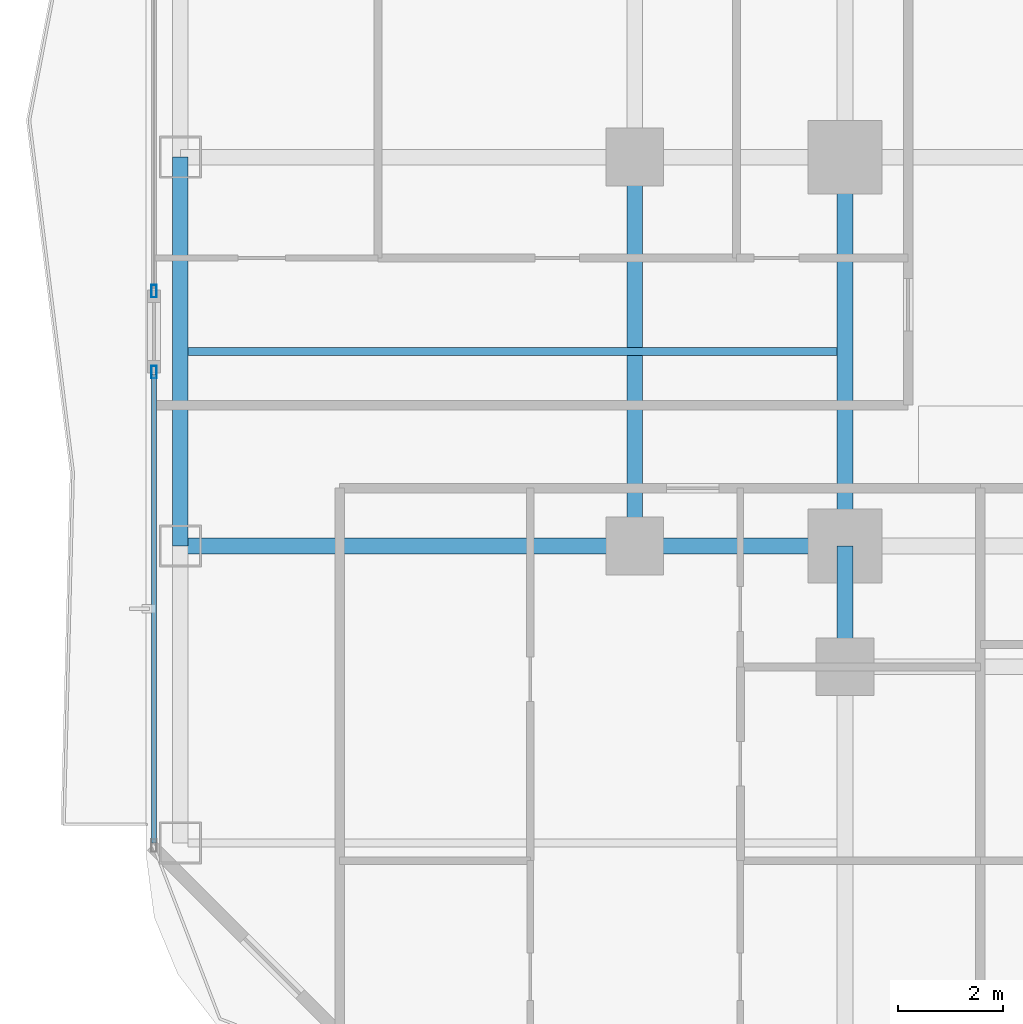
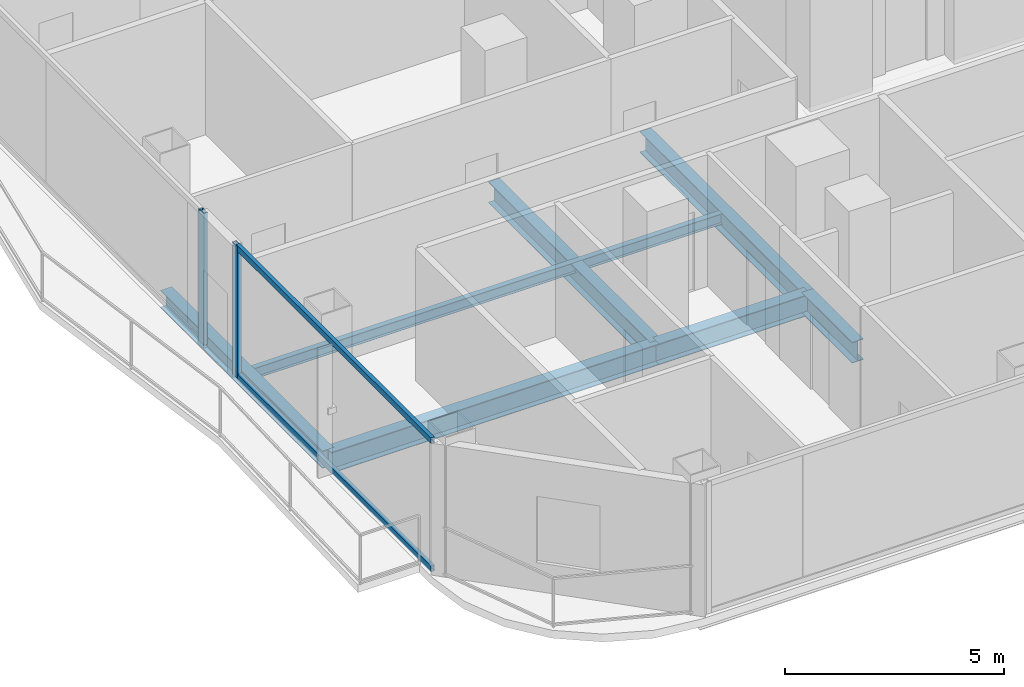
# One storey, part 3 of 30: 7 beams, 4 members, 2 elements without a shape of their own.
"""IFC4 building model written with IfcOpenShell, lengths in metres."""

from ifc_helpers import new_model, si_unit, direction, frame, origin, origin_2d, place, context, subcontext, project, spatial, hollow_rectangle, i_section, extrude, material, layer, layer_set, material_profile, profile_set, type_object, element, aggregate, save


model = new_model("IFC4")

# Units and contexts
model_context = context("Model", 3, precision=1e-05, world=origin(), true_north=direction((0.0, 1.0)))
body_context = subcontext(model_context, "Body", "Model", "MODEL_VIEW")
ifc_project = project(units=[si_unit("LENGTHUNIT", "METRE"), si_unit("AREAUNIT", "SQUARE_METRE"), si_unit("VOLUMEUNIT", "CUBIC_METRE"), si_unit("PLANEANGLEUNIT", "RADIAN"), si_unit("MASSUNIT", "GRAM", prefix="KILO")], contexts=[model_context])

# Site, building, storey
site_placement = place(None, origin())
site = spatial("IfcSite", under=ifc_project, at=site_placement, CompositionType="ELEMENT")
building_placement = place(site_placement, origin())
building = spatial("IfcBuilding", under=site, at=building_placement, Name="Khorvyn Point Tower", CompositionType="ELEMENT")
storey_placement = place(building_placement, frame((0.0, 0.0, 57.89990234375)))
storey = spatial("IfcBuildingStorey", under=building, at=storey_placement, Name="L15", CompositionType="ELEMENT", Elevation=57.89990234375)

# Curtain wall, member
ifc_material_1 = material(Name="Anodised aluminium 6063-T6 and laminated Low-E glass", Category="aluminium")
ifc_layer = layer(ifc_material_1, 0.18994140625)
ifc_layer_set = layer_set([ifc_layer], Name="Stick-Built Finned Residential Curtain Wall CW-SYS-02")
curtain_wall_type = type_object("IfcCurtainWallType", Name="Stick-Built Finned Residential Curtain Wall CW-SYS-02", PredefinedType="NOTDEFINED", material=ifc_layer_set)
curtain_wall_1_placement = place(storey_placement, origin())
curtain_wall_1 = element("IfcCurtainWall", 1, at=curtain_wall_1_placement, inside=storey, type_object=curtain_wall_type, Name="Curtain Wall", PredefinedType="NOTDEFINED")
ifc_material_2 = material(Name="Anodised aluminium 6063-T6", Category="aluminium")
ifc_material_profile_1 = material_profile(ifc_material_2, hollow_rectangle(XDim=0.10009765625, YDim=0.239990234375, WallThickness=0.0048828125, at=origin_2d()))
ifc_profile_set_1 = profile_set([ifc_material_profile_1], Name="Anodised aluminium 6063-T6 ALU-MUL-100x240")
member_type_1 = type_object("IfcMemberType", Name="Anodised Aluminium 6063-T6 Mullion ALU-MUL-100x240", PredefinedType="MULLION", material=ifc_profile_set_1)
member_1_placement = place(storey_placement, frame((-27.949951171875, -11.489990234375, 0.0), z_axis=(0.0, 0.0, 1.0), x_axis=(-1.0, 0.0, 0.0)))
member_1 = element("IfcMember", 2, at=member_1_placement, type_object=member_type_1, Name="Transom", PredefinedType="MULLION", context=body_context, shape_type="SweptSolid", body=[
    extrude(hollow_rectangle(XDim=0.10009765625, YDim=0.239990234375, WallThickness=0.0048828125, at=origin_2d()), origin(), (0.0, 0.0, 1.0), 3.68017578125),
])

curtain_wall_2_placement = place(storey_placement, origin())
curtain_wall_2 = element("IfcCurtainWall", 3, at=curtain_wall_2_placement, inside=storey, type_object=curtain_wall_type, Name="Curtain Wall", PredefinedType="NOTDEFINED")
member_2_placement = place(storey_placement, frame((-27.949951171875, -9.949951171875, 0.0), z_axis=(0.0, 0.0, 1.0), x_axis=(-1.0, 0.0, 0.0)))
member_2 = element("IfcMember", 4, at=member_2_placement, type_object=member_type_1, Name="Transom", PredefinedType="MULLION", context=body_context, shape_type="SweptSolid", body=[
    extrude(hollow_rectangle(XDim=0.10009765625, YDim=0.239990234375, WallThickness=0.0048828125, at=origin_2d()), origin(), (0.0, 0.0, 1.0), 3.68017578125),
])
aggregate(curtain_wall_2, [member_2])

# Member
ifc_material_profile_2 = material_profile(ifc_material_2, hollow_rectangle(XDim=0.10009765625, YDim=0.159912109375, WallThickness=0.00439453125, at=origin_2d()))
ifc_profile_set_2 = profile_set([ifc_material_profile_2], Name="Anodised aluminium 6063-T6 ALU-TRN-100x160")
member_type_2 = type_object("IfcMemberType", Name="Anodised Aluminium 6063-T6 Transom ALU-TRN-100x160", PredefinedType="USERDEFINED", material=ifc_profile_set_2)
member_3_placement = place(storey_placement, frame((-27.949951171875, -20.449951171875, 0.050048828125), z_axis=(0.0, 1.0, 0.0), x_axis=(-1.0, 0.0, 0.0)))
member_3 = element("IfcMember", 5, at=member_3_placement, type_object=member_type_2, Name="Transom", ObjectType="TRANSOM", PredefinedType="USERDEFINED", context=body_context, shape_type="SweptSolid", body=[
    extrude(hollow_rectangle(XDim=0.10009765625, YDim=0.159912109375, WallThickness=0.00439453125, at=origin_2d()), origin(), (0.0, 0.0, 1.0), 8.909912109375),
])

member_4_placement = place(storey_placement, frame((-27.949951171875, -20.449951171875, 3.630126953125), z_axis=(0.0, 1.0, 0.0), x_axis=(-1.0, 0.0, 0.0)))
member_4 = element("IfcMember", 6, at=member_4_placement, type_object=member_type_2, Name="Transom", ObjectType="TRANSOM", PredefinedType="USERDEFINED", context=body_context, shape_type="SweptSolid", body=[
    extrude(hollow_rectangle(XDim=0.10009765625, YDim=0.159912109375, WallThickness=0.00439453125, at=origin_2d()), origin(), (0.0, 0.0, 1.0), 8.909912109375),
])

aggregate(curtain_wall_1, [member_1, member_3, member_4])

# Beams
ifc_material_3 = material(Name="Steel S355", Category="steel")
ifc_material_profile_3 = material_profile(ifc_material_3, i_section(OverallWidth=0.300048828125, OverallDepth=0.587890625, WebThickness=0.011962890625, FlangeThickness=0.02001953125, at=origin_2d()))
ifc_profile_set_3 = profile_set([ifc_material_profile_3], Name="Steel S355 H588x300x12x20")
beam_type_1 = type_object("IfcBeamType", Name="Steel S355 Beam H588x300x12x20", PredefinedType="BEAM", material=ifc_profile_set_3)
beam_1_placement = place(storey_placement, frame((-27.449951171875, -14.800048828125, -0.513916015625), z_axis=(1.0, 0.0, 0.0), x_axis=(0.0, 1.0, 0.0)))
element("IfcBeam", 7, at=beam_1_placement, inside=storey, type_object=beam_type_1, Name="Beam", PredefinedType="BEAM", context=body_context, shape_type="SweptSolid", body=[
    extrude(i_section(OverallWidth=0.300048828125, OverallDepth=0.587890625, WebThickness=0.011962890625, FlangeThickness=0.02001953125, at=origin_2d()), origin(), (0.0, 0.0, 1.0), 8.64990234375),
])
beam_2_placement = place(storey_placement, frame((-18.800048828125, -14.800048828125, -0.513916015625), z_axis=(1.0, 0.0, 0.0), x_axis=(0.0, 1.0, 0.0)))
element("IfcBeam", 8, at=beam_2_placement, inside=storey, type_object=beam_type_1, Name="Beam", PredefinedType="BEAM", context=body_context, shape_type="SweptSolid", body=[
    extrude(i_section(OverallWidth=0.300048828125, OverallDepth=0.587890625, WebThickness=0.011962890625, FlangeThickness=0.02001953125, at=origin_2d()), origin(), (0.0, 0.0, 1.0), 4.0),
])
beam_3_placement = place(storey_placement, frame((-14.800048828125, -17.10009765625, -0.513916015625), z_axis=(0.0, 1.0, 0.0), x_axis=(-1.0, 0.0, 0.0)))
element("IfcBeam", 9, at=beam_3_placement, inside=storey, type_object=beam_type_1, Name="Beam", PredefinedType="BEAM", context=body_context, shape_type="SweptSolid", body=[
    extrude(i_section(OverallWidth=0.300048828125, OverallDepth=0.587890625, WebThickness=0.011962890625, FlangeThickness=0.02001953125, at=origin_2d()), origin(), (0.0, 0.0, 1.0), 2.300048828125),
])
for number, where, z_axis, x_axis, name in (
    (10, (-14.800048828125, -14.800048828125, -0.513916015625), (0.0, 1.0, 0.0), (-1.0, 0.0, 0.0), "Beam"),
    (11, (-18.800048828125, -14.800048828125, -0.513916015625), (0.0, 1.0, 0.0), (-1.0, 0.0, 0.0), "Beam"),
):
    element("IfcBeam", number, at=place(storey_placement, frame(where, z_axis=z_axis, x_axis=x_axis)), inside=storey, type_object=beam_type_1, Name=name, PredefinedType="BEAM", context=body_context, shape_type="SweptSolid", body=[
        extrude(i_section(OverallWidth=0.300048828125, OverallDepth=0.587890625, WebThickness=0.011962890625, FlangeThickness=0.02001953125, at=origin_2d()), origin(), (0.0, 0.0, 1.0), 7.400146484375),
    ])
ifc_material_profile_4 = material_profile(ifc_material_3, i_section(OverallWidth=0.14990234375, OverallDepth=0.300048828125, WebThickness=0.006591796875, FlangeThickness=0.009033203125, at=origin_2d()))
ifc_profile_set_4 = profile_set([ifc_material_profile_4], Name="Steel S355 H300x150x6.5x9")
beam_type_2 = type_object("IfcBeamType", Name="Steel S355 Joist H300x150x6.5x9", PredefinedType="JOIST", material=ifc_profile_set_4)
beam_4_placement = place(storey_placement, frame((-27.300048828125, -11.10009765625, -0.369873046875), z_axis=(1.0, 0.0, 0.0), x_axis=(0.0, 1.0, 0.0)))
element("IfcBeam", 12, at=beam_4_placement, inside=storey, type_object=beam_type_2, Name="Beam", PredefinedType="JOIST", context=body_context, shape_type="SweptSolid", body=[
    extrude(i_section(OverallWidth=0.14990234375, OverallDepth=0.300048828125, WebThickness=0.006591796875, FlangeThickness=0.009033203125, at=origin_2d()), origin(), (0.0, 0.0, 1.0), 12.35009765625),
])
ifc_material_profile_5 = material_profile(ifc_material_3, i_section(OverallWidth=0.300048828125, OverallDepth=0.488037109375, WebThickness=0.010986328125, FlangeThickness=0.01806640625, at=origin_2d()))
ifc_profile_set_5 = profile_set([ifc_material_profile_5], Name="Steel S355 H488x300x11x18")
beam_type_3 = type_object("IfcBeamType", Name="Steel S355 Spandrel H488x300x11x18", PredefinedType="SPANDREL", material=ifc_profile_set_5)
beam_5_placement = place(storey_placement, frame((-27.449951171875, -14.800048828125, -0.4638671875), z_axis=(0.0, 1.0, 0.0), x_axis=(-1.0, 0.0, 0.0)))
element("IfcBeam", 13, at=beam_5_placement, inside=storey, type_object=beam_type_3, Name="Beam", PredefinedType="SPANDREL", context=body_context, shape_type="SweptSolid", body=[
    extrude(i_section(OverallWidth=0.300048828125, OverallDepth=0.488037109375, WebThickness=0.010986328125, FlangeThickness=0.01806640625, at=origin_2d()), origin(), (0.0, 0.0, 1.0), 7.400146484375),
])

save(model, "model.ifc")
